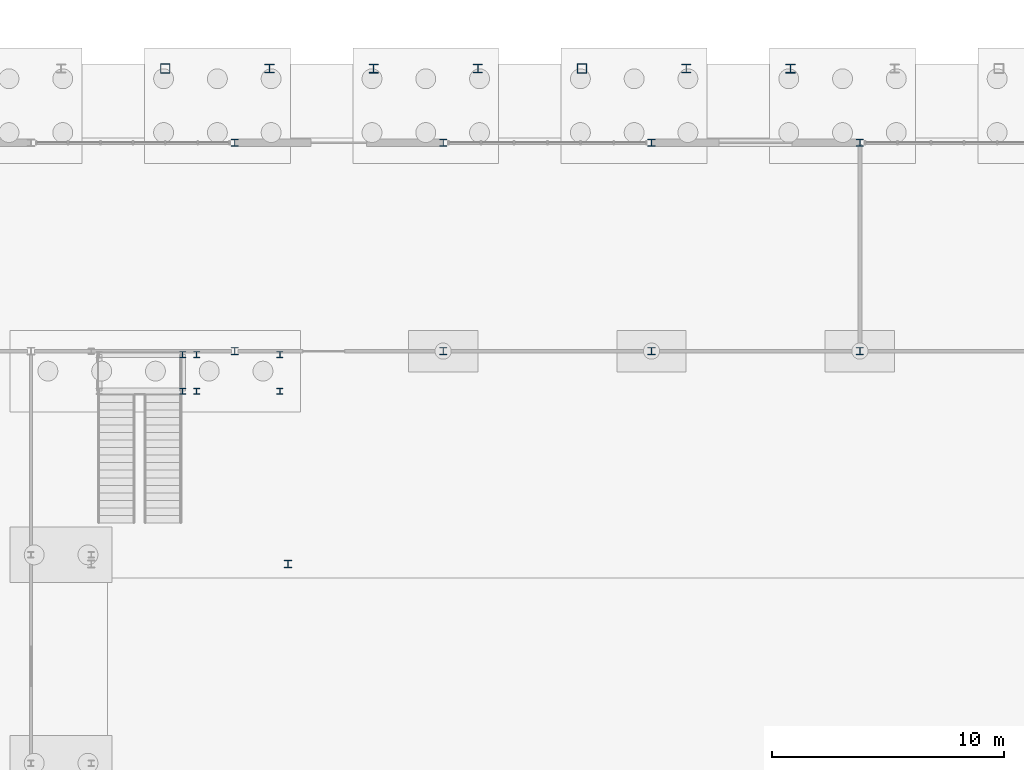
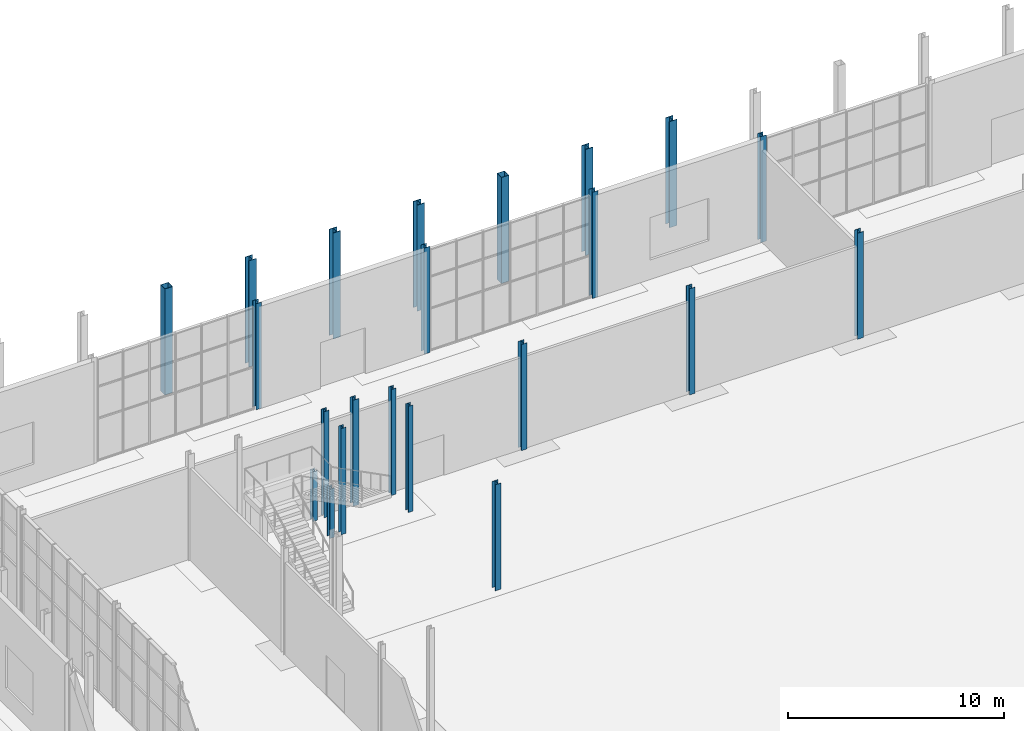
# One storey, part 23 of 131: 22 columns.
"""IFC4 building model written with IfcOpenShell, lengths in metres."""

from ifc_helpers import new_model, si_unit, direction, frame, origin, origin_2d, place, context, subcontext, project, spatial, hollow_rectangle, i_section, extrude, material, material_profile, profile_set, type_object, element, save


model = new_model("IFC4")

# Units and contexts
model_context = context("Model", 3, precision=1e-05, world=origin(), true_north=direction((0.0, 1.0)))
body_context = subcontext(model_context, "Body", "Model", "MODEL_VIEW")
ifc_project = project(units=[si_unit("LENGTHUNIT", "METRE"), si_unit("AREAUNIT", "SQUARE_METRE"), si_unit("VOLUMEUNIT", "CUBIC_METRE"), si_unit("PLANEANGLEUNIT", "RADIAN"), si_unit("MASSUNIT", "GRAM", prefix="KILO")], contexts=[model_context])

# Site, building, storey
site_placement = place(None, origin())
site = spatial("IfcSite", under=ifc_project, at=site_placement, CompositionType="ELEMENT")
building_placement = place(site_placement, origin())
building = spatial("IfcBuilding", under=site, at=building_placement, Name="Cazmaro Siding Exhibition Halls", CompositionType="ELEMENT")
storey_placement = place(building_placement, origin())
storey = spatial("IfcBuildingStorey", under=building, at=storey_placement, Name="L00", CompositionType="ELEMENT", Elevation=0.0)

# Columns
ifc_material_1 = material(Name="Steel ASTM A992 Grade 50", Category="steel")
ifc_material_profile_1 = material_profile(ifc_material_1, i_section(OverallWidth=0.39208984375, OverallDepth=0.3759765625, WebThickness=0.01708984375, FlangeThickness=0.028076171875, at=origin_2d()), Name="W14X145")
ifc_profile_set_1 = profile_set([ifc_material_profile_1], Name="Steel ASTM A992 Grade 50")
column_type_1 = type_object("IfcColumnType", Name="C-03", PredefinedType="COLUMN", material=ifc_profile_set_1)
for number, where, z_axis, x_axis, name in (
    (1, (67.5, 124.0, 0.0), (0.0, 0.0, 1.0), (1.0, 0.0, 0.0), "Column C-03 COL-0034"),
    (2, (76.5, 124.0, 0.0), (0.0, 0.0, 1.0), (1.0, 0.0, 0.0), "Column C-03 COL-0046"),
    (3, (85.5, 124.0, 0.0), (0.0, 0.0, 1.0), (1.0, 0.0, 0.0), "Column C-03 COL-0058"),
):
    element("IfcColumn", number, at=place(storey_placement, frame(where, z_axis=z_axis, x_axis=x_axis)), inside=storey, type_object=column_type_1, Name=name, PredefinedType="COLUMN", context=body_context, shape_type="SweptSolid", body=[
        extrude(i_section(OverallWidth=0.39208984375, OverallDepth=0.3759765625, WebThickness=0.01708984375, FlangeThickness=0.028076171875, at=origin_2d()), origin(), (0.0, 0.0, 1.0), 6.0),
    ])
ifc_material_2 = material(Name="Steel ASTM A992 Grade 50", Category="steel")
ifc_material_profile_2 = material_profile(ifc_material_2, i_section(OverallWidth=0.304931640625, OverallDepth=0.306884765625, WebThickness=0.010009765625, FlangeThickness=0.014892578125, at=origin_2d()), Name="W12X65")
ifc_profile_set_2 = profile_set([ifc_material_profile_2], Name="Steel ASTM A992 Grade 50")
column_type_2 = type_object("IfcColumnType", Name="C-06", PredefinedType="COLUMN", material=ifc_profile_set_2)
for number, where, z_axis, x_axis, name in (
    (4, (66.0, 111.800048828125, 0.0), (0.0, 0.0, 1.0), (1.0, 0.0, 0.0), "Column C-06 COL-0280"),
    (5, (66.0, 120.800048828125, 0.0), (0.0, 0.0, 1.0), (1.0, 0.0, 0.0), "Column C-06 COL-0282"),
    (6, (75.0, 111.800048828125, 0.0), (0.0, 0.0, 1.0), (1.0, 0.0, 0.0), "Column C-06 COL-0290"),
    (7, (75.0, 120.800048828125, 0.0), (0.0, 0.0, 1.0), (1.0, 0.0, 0.0), "Column C-06 COL-0292"),
    (8, (84.0, 111.800048828125, 0.0), (0.0, 0.0, 1.0), (1.0, 0.0, 0.0), "Column C-06 COL-0300"),
    (9, (84.0, 120.800048828125, 0.0), (0.0, 0.0, 1.0), (1.0, 0.0, 0.0), "Column C-06 COL-0302"),
    (10, (93.0, 111.800048828125, 0.0), (0.0, 0.0, 1.0), (1.0, 0.0, 0.0), "Column C-06 COL-0310"),
    (11, (93.0, 120.800048828125, 0.0), (0.0, 0.0, 1.0), (1.0, 0.0, 0.0), "Column C-06 COL-0312"),
):
    element("IfcColumn", number, at=place(storey_placement, frame(where, z_axis=z_axis, x_axis=x_axis)), inside=storey, type_object=column_type_2, Name=name, PredefinedType="COLUMN", context=body_context, shape_type="SweptSolid", body=[
        extrude(i_section(OverallWidth=0.304931640625, OverallDepth=0.306884765625, WebThickness=0.010009765625, FlangeThickness=0.014892578125, at=origin_2d()), origin(), (0.0, 0.0, 1.0), 6.0),
    ])
ifc_material_3 = material(Name="Steel ASTM A992 Grade 50", Category="steel")
ifc_material_profile_3 = material_profile(ifc_material_3, i_section(OverallWidth=0.39892578125, OverallDepth=0.386962890625, WebThickness=0.02099609375, FlangeThickness=0.032958984375, at=origin_2d()), Name="W14X176")
ifc_profile_set_3 = profile_set([ifc_material_profile_3], Name="Steel ASTM A992 Grade 50")
column_type_3 = type_object("IfcColumnType", Name="C-11", PredefinedType="COLUMN", material=ifc_profile_set_3)
for number, where, z_axis, x_axis, name in (
    (12, (72.0, 124.0, 0.0), (0.0, 0.0, 1.0), (1.0, 0.0, 0.0), "Column C-11 COL-0040"),
    (13, (90.0, 124.0, 0.0), (0.0, 0.0, 1.0), (1.0, 0.0, 0.0), "Column C-11 COL-0064"),
):
    element("IfcColumn", number, at=place(storey_placement, frame(where, z_axis=z_axis, x_axis=x_axis)), inside=storey, type_object=column_type_3, Name=name, PredefinedType="COLUMN", context=body_context, shape_type="SweptSolid", body=[
        extrude(i_section(OverallWidth=0.39892578125, OverallDepth=0.386962890625, WebThickness=0.02099609375, FlangeThickness=0.032958984375, at=origin_2d()), origin(), (0.0, 0.0, 1.0), 6.0),
    ])
ifc_material_4 = material(Name="Steel ASTM A992 Grade 50", Category="steel")
ifc_material_profile_4 = material_profile(ifc_material_4, i_section(OverallWidth=0.30908203125, OverallDepth=0.320068359375, WebThickness=0.013916015625, FlangeThickness=0.02294921875, at=origin_2d()), Name="W12X96")
ifc_profile_set_4 = profile_set([ifc_material_profile_4], Name="Steel ASTM A992 Grade 50")
column_type_4 = type_object("IfcColumnType", Name="C-13", PredefinedType="COLUMN", material=ifc_profile_set_4)
column_placement = place(storey_placement, frame((68.300048828125, 102.60009765625, 0.0), z_axis=(0.0, 0.0, 1.0), x_axis=(1.0, 0.0, 0.0)))
element("IfcColumn", 14, at=column_placement, inside=storey, type_object=column_type_4, Name="Column C-13 COL-1199", PredefinedType="COLUMN", context=body_context, shape_type="SweptSolid", body=[
    extrude(i_section(OverallWidth=0.30908203125, OverallDepth=0.320068359375, WebThickness=0.013916015625, FlangeThickness=0.02294921875, at=origin_2d()), origin(), (0.0, 0.0, 1.0), 6.0),
])
ifc_material_5 = material(Name="Steel ASTM A992 Grade 50", Category="steel")
ifc_material_profile_5 = material_profile(ifc_material_5, i_section(OverallWidth=0.257080078125, OverallDepth=0.263916015625, WebThickness=0.011962890625, FlangeThickness=0.02001953125, at=origin_2d()), Name="W10X68")
ifc_profile_set_5 = profile_set([ifc_material_profile_5], Name="Steel ASTM A992 Grade 50")
column_type_5 = type_object("IfcColumnType", Name="C-14", PredefinedType="COLUMN", material=ifc_profile_set_5)
for number, where, z_axis, x_axis, name in (
    (15, (63.75, 110.070068359375, 0.0), (0.0, 0.0, 1.0), (1.0, 0.0, 0.0), "Column C-14 COL-1155"),
    (16, (63.75, 111.64990234375, 0.0), (0.0, 0.0, 1.0), (1.0, 0.0, 0.0), "Column C-14 COL-1156"),
):
    element("IfcColumn", number, at=place(storey_placement, frame(where, z_axis=z_axis, x_axis=x_axis)), inside=storey, type_object=column_type_5, Name=name, PredefinedType="COLUMN", context=body_context, shape_type="SweptSolid", body=[
        extrude(i_section(OverallWidth=0.257080078125, OverallDepth=0.263916015625, WebThickness=0.011962890625, FlangeThickness=0.02001953125, at=origin_2d()), origin(), (0.0, 0.0, 1.0), 2.800048828125),
    ])
for number, where, z_axis, x_axis, name in (
    (17, (64.35009765625, 110.070068359375, 0.0), (0.0, 0.0, 1.0), (1.0, 0.0, 0.0), "Column C-14 COL-1157"),
    (18, (64.35009765625, 111.64990234375, 0.0), (0.0, 0.0, 1.0), (1.0, 0.0, 0.0), "Column C-14 COL-1159"),
    (19, (67.949951171875, 110.070068359375, 0.0), (0.0, 0.0, 1.0), (1.0, 0.0, 0.0), "Column C-14 COL-1161"),
    (20, (67.949951171875, 111.64990234375, 0.0), (0.0, 0.0, 1.0), (1.0, 0.0, 0.0), "Column C-14 COL-1163"),
):
    element("IfcColumn", number, at=place(storey_placement, frame(where, z_axis=z_axis, x_axis=x_axis)), inside=storey, type_object=column_type_5, Name=name, PredefinedType="COLUMN", context=body_context, shape_type="SweptSolid", body=[
        extrude(i_section(OverallWidth=0.257080078125, OverallDepth=0.263916015625, WebThickness=0.011962890625, FlangeThickness=0.02001953125, at=origin_2d()), origin(), (0.0, 0.0, 1.0), 6.0),
    ])
ifc_material_6 = material(Name="Steel ASTM A500 Grade C", Category="steel")
ifc_material_profile_6 = material_profile(ifc_material_6, hollow_rectangle(XDim=0.406005859375, YDim=0.406005859375, WallThickness=0.014892578125, at=origin_2d()), Name="HSS16X16X5/8")
ifc_profile_set_6 = profile_set([ifc_material_profile_6], Name="Steel ASTM A500 Grade C")
column_type_6 = type_object("IfcColumnType", Name="PL-01", PredefinedType="PILASTER", material=ifc_profile_set_6)
for number, where, z_axis, x_axis, name in (
    (21, (63.0, 124.0, 0.0), (0.0, 0.0, 1.0), (1.0, 0.0, 0.0), "Column PL-01 COL-0028"),
    (22, (81.0, 124.0, 0.0), (0.0, 0.0, 1.0), (1.0, 0.0, 0.0), "Column PL-01 COL-0052"),
):
    element("IfcColumn", number, at=place(storey_placement, frame(where, z_axis=z_axis, x_axis=x_axis)), inside=storey, type_object=column_type_6, Name=name, PredefinedType="PILASTER", context=body_context, shape_type="SweptSolid", body=[
        extrude(hollow_rectangle(XDim=0.406005859375, YDim=0.406005859375, WallThickness=0.014892578125, at=origin_2d()), origin(), (0.0, 0.0, 1.0), 6.0),
    ])

save(model, "model.ifc")
